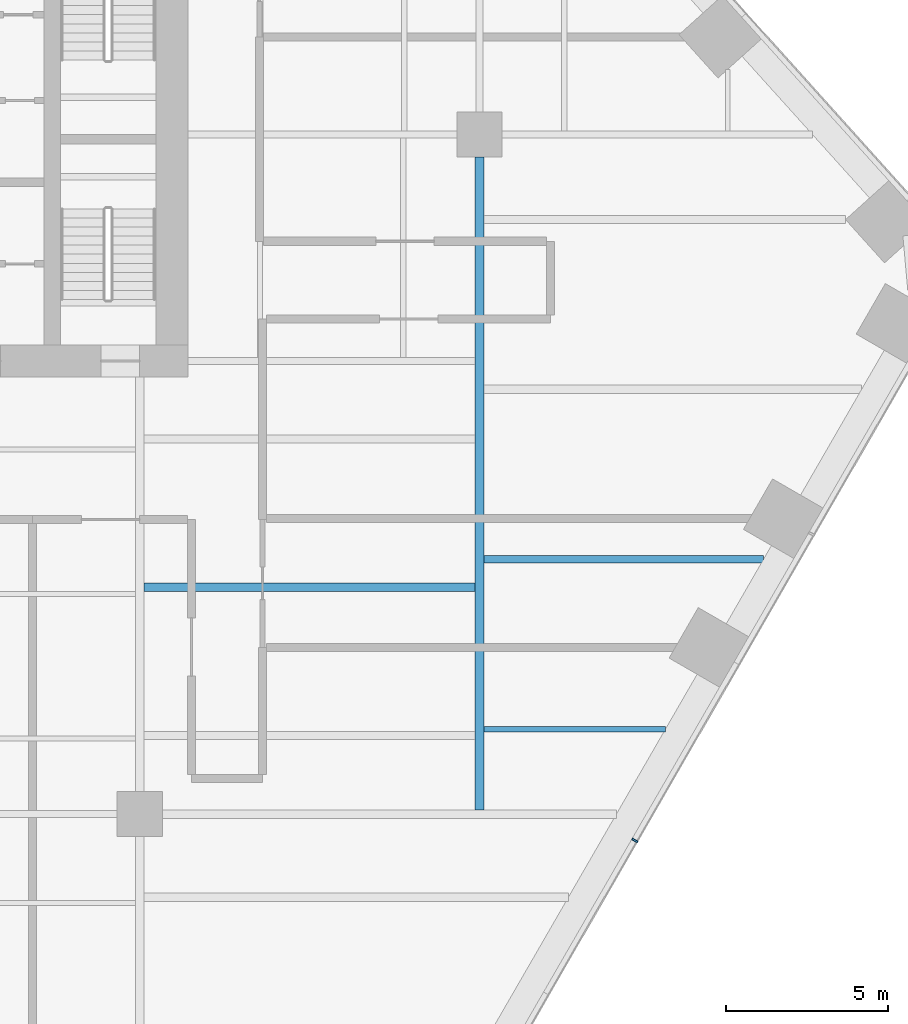
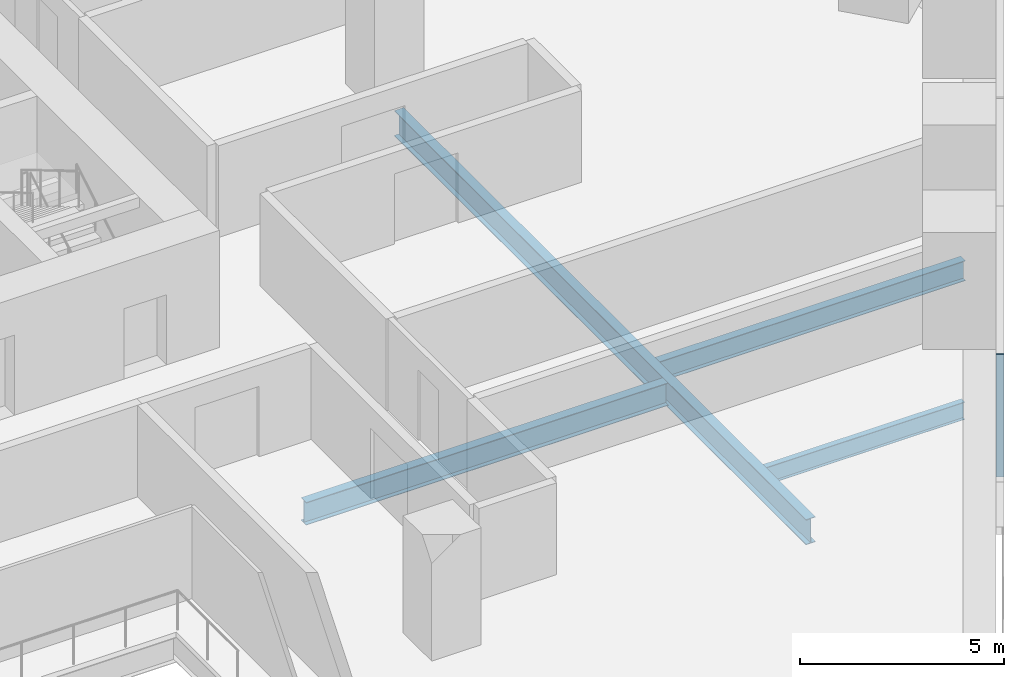
# One storey, part 7 of 21: 4 beams, 1 member, 1 element without a shape of its own.
"""IFC4 building model written with IfcOpenShell, lengths in metres."""

from ifc_helpers import new_model, si_unit, direction, frame, origin, origin_2d, place, context, subcontext, project, spatial, rectangle, i_section, extrude, material, layer, layer_set, material_profile, profile_set, type_object, element, aggregate, save


model = new_model("IFC4")

# Units and contexts
model_context = context("Model", 3, precision=1e-05, world=origin(), true_north=direction((0.0, 1.0)))
body_context = subcontext(model_context, "Body", "Model", "MODEL_VIEW")
ifc_project = project(units=[si_unit("LENGTHUNIT", "METRE"), si_unit("AREAUNIT", "SQUARE_METRE"), si_unit("VOLUMEUNIT", "CUBIC_METRE"), si_unit("PLANEANGLEUNIT", "RADIAN"), si_unit("MASSUNIT", "GRAM", prefix="KILO")], contexts=[model_context])

# Site, building, storey
site_placement = place(None, origin())
site = spatial("IfcSite", under=ifc_project, at=site_placement, CompositionType="ELEMENT")
building_placement = place(site_placement, origin())
building = spatial("IfcBuilding", under=site, at=building_placement, Name="Isthmus Gate Tower", CompositionType="ELEMENT")
storey_placement = place(building_placement, frame((0.0, 0.0, 50.60009765625)))
storey = spatial("IfcBuildingStorey", under=building, at=storey_placement, Name="L10", CompositionType="ELEMENT", Elevation=50.60009765625)

# Curtain wall, member
ifc_material_1 = material(Name="Aluminium, pale champagne anodised", Category="aluminium")
ifc_layer = layer(ifc_material_1, 0.199951171875)
ifc_layer_set = layer_set([ifc_layer], Name="CW-1 UNITISED CURTAIN WALL 200 DEEP")
curtain_wall_type = type_object("IfcCurtainWallType", Name="CW-1 UNITISED CURTAIN WALL 200 DEEP", PredefinedType="NOTDEFINED", material=ifc_layer_set)
curtain_wall_placement = place(storey_placement, origin())
curtain_wall = element("IfcCurtainWall", 1, at=curtain_wall_placement, inside=storey, type_object=curtain_wall_type, Name="CW-1 SE L10", PredefinedType="NOTDEFINED")
ifc_material_2 = material(Name="Aluminium, pale champagne anodised", Category="aluminium")
ifc_material_profile_1 = material_profile(ifc_material_2, rectangle(XDim=0.06005859375, YDim=0.199951171875, at=origin_2d()), Name="60x200")
ifc_profile_set_1 = profile_set([ifc_material_profile_1], Name="Aluminium, pale champagne anodised")
member_type = type_object("IfcMemberType", Name="CW-1 MULLION 60 X 200", PredefinedType="MULLION", material=ifc_profile_set_1)
member_placement = place(storey_placement, frame((28.802001953125, -14.3134765625, 0.0), z_axis=(0.0, 0.0, 1.0), x_axis=(0.5, 0.866025403784, 0.0)))
member = element("IfcMember", 2, at=member_placement, type_object=member_type, Name="CW-1 mullion", PredefinedType="MULLION", context=body_context, shape_type="SweptSolid", body=[
    extrude(rectangle(XDim=0.06005859375, YDim=0.199951171875, at=origin_2d()), origin(), (0.0, 0.0, 1.0), 3.64990234375),
])
aggregate(curtain_wall, [member])

# Beams
ifc_material_3 = material(Name="Structural steel ASTM A992 Gr 50", Category="steel")
ifc_material_profile_2 = material_profile(ifc_material_3, i_section(OverallWidth=0.1650390625, OverallDepth=0.52392578125, WebThickness=0.009521484375, FlangeThickness=0.010986328125, at=origin_2d()), Name="W21X44")
ifc_profile_set_2 = profile_set([ifc_material_profile_2], Name="Structural steel ASTM A992 Gr 50")
beam_type_1 = type_object("IfcBeamType", Name="STEEL FLOOR BEAM W21X44", PredefinedType="JOIST", material=ifc_profile_set_2)
beam_1_placement = place(storey_placement, frame((24.13330078125, -10.875, -0.412109375), z_axis=(1.0, 0.0, 0.0), x_axis=(0.0, 1.0, 0.0)))
element("IfcBeam", 3, at=beam_1_placement, inside=storey, type_object=beam_type_1, Name="str-beam-L10-34-00", PredefinedType="JOIST", context=body_context, shape_type="SweptSolid", body=[
    extrude(i_section(OverallWidth=0.1650390625, OverallDepth=0.52392578125, WebThickness=0.009521484375, FlangeThickness=0.010986328125, at=origin_2d()), origin(), (0.0, 0.0, 1.0), 5.61474609375),
])
ifc_material_4 = material(Name="Structural steel ASTM A992 Gr 50", Category="steel")
ifc_material_profile_3 = material_profile(ifc_material_4, i_section(OverallWidth=0.228515625, OverallDepth=0.603271484375, WebThickness=0.010986328125, FlangeThickness=0.014404296875, at=origin_2d()), Name="W24X68")
ifc_profile_set_3 = profile_set([ifc_material_profile_3], Name="Structural steel ASTM A992 Gr 50")
beam_type_2 = type_object("IfcBeamType", Name="STEEL FLOOR BEAM W24X68", PredefinedType="JOIST", material=ifc_profile_set_3)
beam_2_placement = place(storey_placement, frame((24.13330078125, -5.625, -0.45166015625), z_axis=(1.0, 0.0, 0.0), x_axis=(0.0, 1.0, 0.0)))
element("IfcBeam", 4, at=beam_2_placement, inside=storey, type_object=beam_type_2, Name="str-beam-L10-34-01", PredefinedType="JOIST", context=body_context, shape_type="SweptSolid", body=[
    extrude(i_section(OverallWidth=0.228515625, OverallDepth=0.603271484375, WebThickness=0.010986328125, FlangeThickness=0.014404296875, at=origin_2d()), origin(), (0.0, 0.0, 1.0), 8.645751953125),
])
ifc_material_5 = material(Name="Structural steel ASTM A992 Gr 50", Category="steel")
ifc_material_profile_4 = material_profile(ifc_material_5, i_section(OverallWidth=0.25390625, OverallDepth=0.679443359375, WebThickness=0.010986328125, FlangeThickness=0.015869140625, at=origin_2d()), Name="W27X84")
ifc_profile_set_4 = profile_set([ifc_material_profile_4], Name="Structural steel ASTM A992 Gr 50")
beam_type_3 = type_object("IfcBeamType", Name="STEEL FLOOR BEAM W27X84", PredefinedType="JOIST", material=ifc_profile_set_4)
beam_3_placement = place(storey_placement, frame((13.6318359375, -6.490478515625, -0.48974609375), z_axis=(1.0, 0.0, 0.0), x_axis=(0.0, 1.0, 0.0)))
element("IfcBeam", 5, at=beam_3_placement, inside=storey, type_object=beam_type_3, Name="str-beam-L10-27-01", PredefinedType="JOIST", context=body_context, shape_type="SweptSolid", body=[
    extrude(i_section(OverallWidth=0.25390625, OverallDepth=0.679443359375, WebThickness=0.010986328125, FlangeThickness=0.015869140625, at=origin_2d()), origin(), (0.0, 0.0, 1.0), 10.23486328125),
])
ifc_material_6 = material(Name="Structural steel ASTM A992 Gr 50", Category="steel")
ifc_material_profile_5 = material_profile(ifc_material_6, i_section(OverallWidth=0.2666015625, OverallDepth=0.7587890625, WebThickness=0.014404296875, FlangeThickness=0.01904296875, at=origin_2d()), Name="W30X108")
ifc_profile_set_5 = profile_set([ifc_material_profile_5], Name="Structural steel ASTM A992 Gr 50")
beam_type_4 = type_object("IfcBeamType", Name="STEEL GIRDER W30X108", PredefinedType="BEAM", material=ifc_profile_set_5)
beam_4_placement = place(storey_placement, frame((24.0, -13.36669921875, -0.529541015625), z_axis=(0.0, 1.0, 0.0), x_axis=(-1.0, 0.0, 0.0)))
element("IfcBeam", 6, at=beam_4_placement, inside=storey, type_object=beam_type_4, Name="str-girder-L10-35", PredefinedType="BEAM", context=body_context, shape_type="SweptSolid", body=[
    extrude(i_section(OverallWidth=0.2666015625, OverallDepth=0.7587890625, WebThickness=0.014404296875, FlangeThickness=0.01904296875, at=origin_2d()), origin(), (0.0, 0.0, 1.0), 20.166748046875),
])

save(model, "model.ifc")
